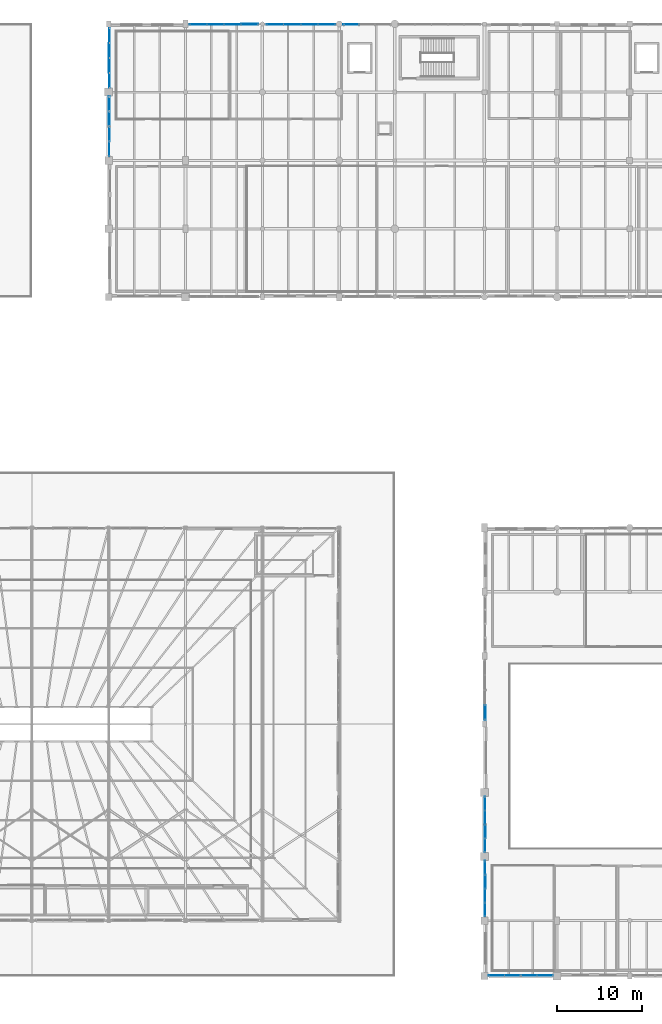
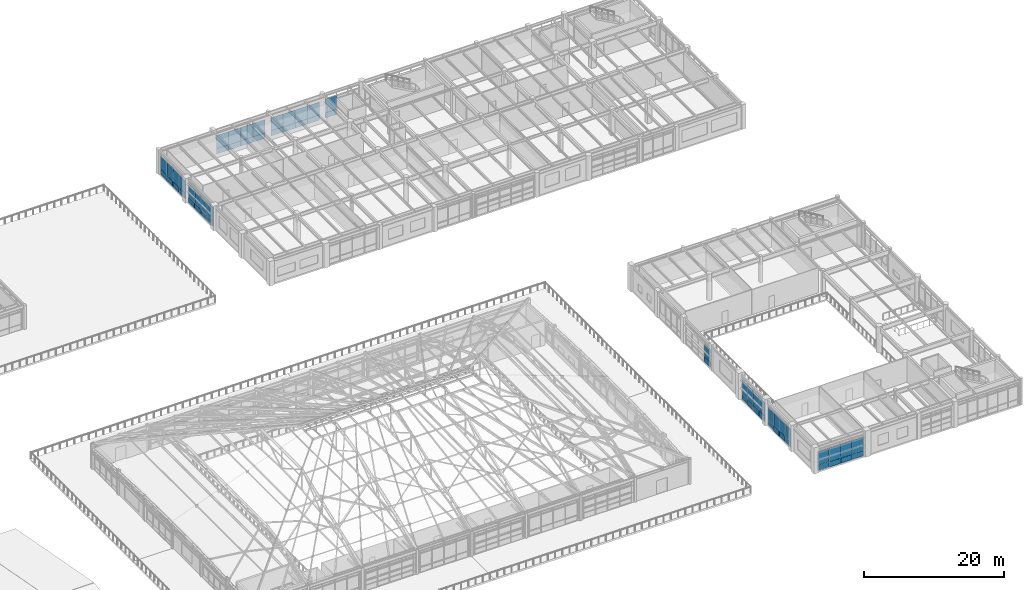
# One storey, part 136 of 168: 60 plates, 9 elements without a shape of their own.
"""IFC4 building model written with IfcOpenShell, lengths in metres."""

from ifc_helpers import new_model, si_unit, direction, frame, origin, origin_2d, place, context, subcontext, project, spatial, rectangle, extrude, material, layer, layer_set, type_object, element, aggregate, save


model = new_model("IFC4")

# Units and contexts
model_context = context("Model", 3, precision=1e-05, world=origin(), true_north=direction((0.0, 1.0)))
body_context = subcontext(model_context, "Body", "Model", "MODEL_VIEW")
ifc_project = project(units=[si_unit("LENGTHUNIT", "METRE"), si_unit("AREAUNIT", "SQUARE_METRE"), si_unit("VOLUMEUNIT", "CUBIC_METRE"), si_unit("PLANEANGLEUNIT", "RADIAN"), si_unit("MASSUNIT", "GRAM", prefix="KILO"), si_unit("THERMODYNAMICTEMPERATUREUNIT", "KELVIN"), si_unit("POWERUNIT", "WATT")], contexts=[model_context])

# Site, building, storey
site_placement = place(None, origin())
site = spatial("IfcSite", under=ifc_project, at=site_placement, CompositionType="ELEMENT")
building_placement = place(site_placement, origin())
building = spatial("IfcBuilding", under=site, at=building_placement, Name="Tepalcoro Natatorium and Aquatics Centre", CompositionType="ELEMENT")
storey_placement = place(building_placement, frame((0.0, 0.0, 10.199951171875)))
storey = spatial("IfcBuildingStorey", under=building, at=storey_placement, Name="L02", CompositionType="ELEMENT", Elevation=10.199951171875)

# Curtain wall, plate
ifc_material_1 = material(Name="Bronze-Anodised Extruded Aluminium Alloy EN AW-6063 T6", Category="aluminium")
curtain_wall_type_1 = type_object("IfcCurtainWallType", Name="CW_V2_DIVING", PredefinedType="USERDEFINED", material=ifc_material_1)
curtain_wall_1_placement = place(storey_placement, origin())
curtain_wall_1 = element("IfcCurtainWall", 1, at=curtain_wall_1_placement, inside=storey, type_object=curtain_wall_type_1, Name="V2 L02 S Unitised Curtain Wall Bay 1", ObjectType="FACETED SOLAR GLAZING", PredefinedType="USERDEFINED")
ifc_material_2 = material(Name="Solar-Control Bronze Tempered Low-E Double Glazing", Category="glass")
ifc_layer_1 = layer(ifc_material_2, 0.048095703125)
ifc_layer_set_1 = layer_set([ifc_layer_1], Name="Solar-Control Bronze Tempered Low-E Double Glazing")
plate_type_1 = type_object("IfcPlateType", Name="PL_ACOUSTIC_IGU_48", PredefinedType="CURTAIN_PANEL", material=ifc_layer_set_1)
plate_1_placement = place(storey_placement, frame((147.1923828125, 6.576171875, 0.9599609375), z_axis=(0.0, 0.0, 1.0), x_axis=(1.0, 0.0, 0.0)))
plate_1 = element("IfcPlate", 2, at=plate_1_placement, type_object=plate_type_1, Name="CW_V2_DIVING Insulated Glazing Unit", PredefinedType="CURTAIN_PANEL", context=body_context, shape_type="SweptSolid", body=[
    extrude(rectangle(XDim=1.864990234375, YDim=0.048095703125, at=origin_2d()), origin(), (0.0, 0.0, 1.0), 2.3701171875),
])

# Curtain wall, plates
curtain_wall_type_2 = type_object("IfcCurtainWallType", Name="CW_LEAN_T1_NS", PredefinedType="USERDEFINED", material=ifc_material_1)
curtain_wall_2_placement = place(storey_placement, origin())
curtain_wall_2 = element("IfcCurtainWall", 3, at=curtain_wall_2_placement, inside=storey, type_object=curtain_wall_type_2, Name="V2 L02 W Unitised Curtain Wall Bay 2", ObjectType="FACETED SOLAR GLAZING", PredefinedType="USERDEFINED")
plate_2_placement = place(storey_placement, frame((142.06494140625, 14.297607421875, 0.944580078125), z_axis=(0.0, 0.0, 1.0), x_axis=(1.0, 0.0, 0.0)))
plate_2 = element("IfcPlate", 4, at=plate_2_placement, type_object=plate_type_1, Name="CW_LEAN_T1_NS Insulated Glazing Unit", PredefinedType="CURTAIN_PANEL", context=body_context, shape_type="SweptSolid", body=[
    extrude(rectangle(XDim=0.048095703125, YDim=1.614990234375, at=origin_2d()), origin(), (0.0, 0.0, 1.0), 2.2333984375),
])
plate_3_placement = place(storey_placement, frame((142.06494140625, 19.202392578125, 0.944580078125), z_axis=(0.0, 0.0, 1.0), x_axis=(1.0, 0.0, 0.0)))
plate_3 = element("IfcPlate", 5, at=plate_3_placement, type_object=plate_type_1, Name="CW_LEAN_T1_NS Insulated Glazing Unit", PredefinedType="CURTAIN_PANEL", context=body_context, shape_type="SweptSolid", body=[
    extrude(rectangle(XDim=0.048095703125, YDim=1.614990234375, at=origin_2d()), origin(), (0.0, 0.0, 1.0), 2.2333984375),
])

# Curtain wall, plate
curtain_wall_type_3 = type_object("IfcCurtainWallType", Name="CW_LEAN_T1_EW", PredefinedType="USERDEFINED", material=ifc_material_1)
curtain_wall_3_placement = place(storey_placement, origin())
curtain_wall_3 = element("IfcCurtainWall", 6, at=curtain_wall_3_placement, inside=storey, type_object=curtain_wall_type_3, Name="V2 L02 W Unitised Curtain Wall Bay 3", ObjectType="FACETED SOLAR GLAZING", PredefinedType="USERDEFINED")
plate_4_placement = place(storey_placement, frame((142.0712890625, 25.0673828125, 0.9599609375), z_axis=(0.0, 0.0, 1.0), x_axis=(1.0, 0.0, 0.0)))
plate_4 = element("IfcPlate", 7, at=plate_4_placement, type_object=plate_type_1, Name="CW_LEAN_T1_EW Insulated Glazing Unit", PredefinedType="CURTAIN_PANEL", context=body_context, shape_type="SweptSolid", body=[
    extrude(rectangle(XDim=0.048095703125, YDim=1.614990234375, at=origin_2d()), origin(), (0.0, 0.0, 1.0), 2.4169921875),
])

curtain_wall_4_placement = place(storey_placement, origin())
curtain_wall_4 = element("IfcCurtainWall", 8, at=curtain_wall_4_placement, inside=storey, type_object=curtain_wall_type_3, Name="V5 L02 N Unitised Curtain Wall Bay 2", ObjectType="FACETED SOLAR GLAZING", PredefinedType="USERDEFINED")
plate_5_placement = place(storey_placement, frame((112.5048828125, 117.9287109375, 0.9599609375), z_axis=(0.0, 0.0, 1.0), x_axis=(1.0, 0.0, 0.0)))
plate_5 = element("IfcPlate", 9, at=plate_5_placement, type_object=plate_type_1, Name="CW_LEAN_T1_EW Insulated Glazing Unit", PredefinedType="CURTAIN_PANEL", context=body_context, shape_type="SweptSolid", body=[
    extrude(rectangle(XDim=1.989990234375, YDim=0.048095703125, at=origin_2d()), origin(), (0.0, 0.0, 1.0), 2.2939453125),
])

curtain_wall_type_4 = type_object("IfcCurtainWallType", Name="CW_LEAN_T2_NS", PredefinedType="USERDEFINED", material=ifc_material_1)
curtain_wall_5_placement = place(storey_placement, origin())
curtain_wall_5 = element("IfcCurtainWall", 10, at=curtain_wall_5_placement, inside=storey, type_object=curtain_wall_type_4, Name="V5 L02 N Unitised Curtain Wall Bay 3", ObjectType="FACETED SOLAR GLAZING", PredefinedType="USERDEFINED")
plate_6_placement = place(storey_placement, frame((119.4951171875, 117.923828125, 0.944580078125), z_axis=(0.0, 0.0, 1.0), x_axis=(1.0, 0.0, 0.0)))
plate_6 = element("IfcPlate", 11, at=plate_6_placement, type_object=plate_type_1, Name="CW_LEAN_T2_NS Insulated Glazing Unit", PredefinedType="CURTAIN_PANEL", context=body_context, shape_type="SweptSolid", body=[
    extrude(rectangle(XDim=1.989990234375, YDim=0.048095703125, at=origin_2d()), origin(), (0.0, 0.0, 1.0), 2.2333984375),
])

curtain_wall_type_5 = type_object("IfcCurtainWallType", Name="CW_LEAN_T2_EW", PredefinedType="USERDEFINED", material=ifc_material_1)
curtain_wall_6_placement = place(storey_placement, origin())
curtain_wall_6 = element("IfcCurtainWall", 12, at=curtain_wall_6_placement, inside=storey, type_object=curtain_wall_type_5, Name="V5 L02 N Unitised Curtain Wall Bay 4", ObjectType="FACETED SOLAR GLAZING", PredefinedType="USERDEFINED")
plate_7_placement = place(storey_placement, frame((126.4033203125, 117.919921875, 0.9599609375), z_axis=(0.0, 0.0, 1.0), x_axis=(1.0, 0.0, 0.0)))
plate_7 = element("IfcPlate", 13, at=plate_7_placement, type_object=plate_type_1, Name="CW_LEAN_T2_EW Insulated Glazing Unit", PredefinedType="CURTAIN_PANEL", context=body_context, shape_type="SweptSolid", body=[
    extrude(rectangle(XDim=1.82666015625, YDim=0.048095703125, at=origin_2d()), origin(), (0.0, 0.0, 1.0), 2.4169921875),
])

# Curtain wall, plates
curtain_wall_7_placement = place(storey_placement, origin())
curtain_wall_7 = element("IfcCurtainWall", 14, at=curtain_wall_7_placement, inside=storey, type_object=curtain_wall_type_3, Name="V5 L02 W Unitised Curtain Wall Bay 3", ObjectType="FACETED SOLAR GLAZING", PredefinedType="USERDEFINED")
plate_8_placement = place(storey_placement, frame((98.0712890625, 103.360107421875, 0.960205078125), z_axis=(0.0, 0.0, 1.0), x_axis=(1.0, 0.0, 0.0)))
plate_8 = element("IfcPlate", 15, at=plate_8_placement, type_object=plate_type_1, Name="CW_LEAN_T1_EW Insulated Glazing Unit", PredefinedType="CURTAIN_PANEL", context=body_context, shape_type="SweptSolid", body=[
    extrude(rectangle(XDim=0.048095703125, YDim=1.739990234375, at=origin_2d()), origin(), (0.0, 0.0, 1.0), 2.3369140625),
])
plate_9_placement = place(storey_placement, frame((98.0712890625, 108.639892578125, 0.960205078125), z_axis=(0.0, 0.0, 1.0), x_axis=(1.0, 0.0, 0.0)))
plate_9 = element("IfcPlate", 16, at=plate_9_placement, type_object=plate_type_1, Name="CW_LEAN_T1_EW Insulated Glazing Unit", PredefinedType="CURTAIN_PANEL", context=body_context, shape_type="SweptSolid", body=[
    extrude(rectangle(XDim=0.048095703125, YDim=1.739990234375, at=origin_2d()), origin(), (0.0, 0.0, 1.0), 2.3369140625),
])

# Curtain wall, plate
curtain_wall_8_placement = place(storey_placement, origin())
curtain_wall_8 = element("IfcCurtainWall", 17, at=curtain_wall_8_placement, inside=storey, type_object=curtain_wall_type_4, Name="V5 L02 W Unitised Curtain Wall Bay 4", ObjectType="FACETED SOLAR GLAZING", PredefinedType="USERDEFINED")
plate_10_placement = place(storey_placement, frame((98.076171875, 114.8798828125, 0.9599609375), z_axis=(0.0, 0.0, 1.0), x_axis=(1.0, 0.0, 0.0)))
plate_10 = element("IfcPlate", 18, at=plate_10_placement, type_object=plate_type_1, Name="CW_LEAN_T2_NS Insulated Glazing Unit", PredefinedType="CURTAIN_PANEL", context=body_context, shape_type="SweptSolid", body=[
    extrude(rectangle(XDim=0.048095703125, YDim=1.739990234375, at=origin_2d()), origin(), (0.0, 0.0, 1.0), 2.2900390625),
])

# Plate
ifc_layer_2 = layer(ifc_material_2, 0.028076171875)
ifc_layer_set_2 = layer_set([ifc_layer_2], Name="Solar-Control Bronze Tempered Low-E Double Glazing")
plate_type_2 = type_object("IfcPlateType", Name="PL_BRONZE_IGU_28", PredefinedType="CURTAIN_PANEL", material=ifc_layer_set_2)
plate_11_placement = place(storey_placement, frame((145.3076171875, 6.576171875, 0.9599609375), z_axis=(0.0, 0.0, 1.0), x_axis=(1.0, 0.0, 0.0)))
plate_11 = element("IfcPlate", 19, at=plate_11_placement, type_object=plate_type_2, Name="CW_V2_DIVING Insulated Glazing Unit", PredefinedType="CURTAIN_PANEL", context=body_context, shape_type="SweptSolid", body=[
    extrude(rectangle(XDim=1.864990234375, YDim=0.028076171875, at=origin_2d()), origin(), (0.0, 0.0, 1.0), 2.3701171875),
])

plate_12_placement = place(storey_placement, frame((142.06494140625, 17.5673828125, 0.944580078125), z_axis=(0.0, 0.0, 1.0), x_axis=(1.0, 0.0, 0.0)))
plate_12 = element("IfcPlate", 20, at=plate_12_placement, type_object=plate_type_2, Name="CW_LEAN_T1_NS Insulated Glazing Unit", PredefinedType="CURTAIN_PANEL", context=body_context, shape_type="SweptSolid", body=[
    extrude(rectangle(XDim=0.028076171875, YDim=1.614990234375, at=origin_2d()), origin(), (0.0, 0.0, 1.0), 2.2333984375),
])

plate_13_placement = place(storey_placement, frame((142.0712890625, 23.4326171875, 0.9599609375), z_axis=(0.0, 0.0, 1.0), x_axis=(1.0, 0.0, 0.0)))
plate_13 = element("IfcPlate", 21, at=plate_13_placement, type_object=plate_type_2, Name="CW_LEAN_T1_EW Insulated Glazing Unit", PredefinedType="CURTAIN_PANEL", context=body_context, shape_type="SweptSolid", body=[
    extrude(rectangle(XDim=0.028076171875, YDim=1.614990234375, at=origin_2d()), origin(), (0.0, 0.0, 1.0), 2.4169921875),
])

# Curtain wall, plate
curtain_wall_9_placement = place(storey_placement, origin())
curtain_wall_9 = element("IfcCurtainWall", 22, at=curtain_wall_9_placement, inside=storey, type_object=curtain_wall_type_5, Name="V2 L02 W Unitised Curtain Wall Bay 5", ObjectType="FACETED SOLAR GLAZING", PredefinedType="USERDEFINED")
plate_14_placement = place(storey_placement, frame((142.0712890625, 37.360107421875, 0.9599609375), z_axis=(0.0, 0.0, 1.0), x_axis=(1.0, 0.0, 0.0)))
plate_14 = element("IfcPlate", 23, at=plate_14_placement, type_object=plate_type_2, Name="CW_LEAN_T2_EW Insulated Glazing Unit", PredefinedType="CURTAIN_PANEL", context=body_context, shape_type="SweptSolid", body=[
    extrude(rectangle(XDim=0.028076171875, YDim=1.739990234375, at=origin_2d()), origin(), (0.0, 0.0, 1.0), 2.2939453125),
])

# Plate
plate_15_placement = place(storey_placement, frame((110.4951171875, 117.9287109375, 0.9599609375), z_axis=(0.0, 0.0, 1.0), x_axis=(1.0, 0.0, 0.0)))
plate_15 = element("IfcPlate", 24, at=plate_15_placement, type_object=plate_type_2, Name="CW_LEAN_T1_EW Insulated Glazing Unit", PredefinedType="CURTAIN_PANEL", context=body_context, shape_type="SweptSolid", body=[
    extrude(rectangle(XDim=1.989990234375, YDim=0.028076171875, at=origin_2d()), origin(), (0.0, 0.0, 1.0), 2.2939453125),
])

plate_16_placement = place(storey_placement, frame((117.485107421875, 117.923828125, 0.944580078125), z_axis=(0.0, 0.0, 1.0), x_axis=(1.0, 0.0, 0.0)))
plate_16 = element("IfcPlate", 25, at=plate_16_placement, type_object=plate_type_2, Name="CW_LEAN_T2_NS Insulated Glazing Unit", PredefinedType="CURTAIN_PANEL", context=body_context, shape_type="SweptSolid", body=[
    extrude(rectangle(XDim=1.989990234375, YDim=0.028076171875, at=origin_2d()), origin(), (0.0, 0.0, 1.0), 2.2333984375),
])

plate_17_placement = place(storey_placement, frame((123.514892578125, 117.923828125, 0.944580078125), z_axis=(0.0, 0.0, 1.0), x_axis=(1.0, 0.0, 0.0)))
plate_17 = element("IfcPlate", 26, at=plate_17_placement, type_object=plate_type_2, Name="CW_LEAN_T2_NS Insulated Glazing Unit", PredefinedType="CURTAIN_PANEL", context=body_context, shape_type="SweptSolid", body=[
    extrude(rectangle(XDim=1.989990234375, YDim=0.028076171875, at=origin_2d()), origin(), (0.0, 0.0, 1.0), 2.2333984375),
])

plate_18_placement = place(storey_placement, frame((98.0712890625, 106.8798828125, 0.960205078125), z_axis=(0.0, 0.0, 1.0), x_axis=(1.0, 0.0, 0.0)))
plate_18 = element("IfcPlate", 27, at=plate_18_placement, type_object=plate_type_2, Name="CW_LEAN_T1_EW Insulated Glazing Unit", PredefinedType="CURTAIN_PANEL", context=body_context, shape_type="SweptSolid", body=[
    extrude(rectangle(XDim=0.028076171875, YDim=1.739990234375, at=origin_2d()), origin(), (0.0, 0.0, 1.0), 2.3369140625),
])

plate_19_placement = place(storey_placement, frame((98.076171875, 113.1201171875, 0.9599609375), z_axis=(0.0, 0.0, 1.0), x_axis=(1.0, 0.0, 0.0)))
plate_19 = element("IfcPlate", 28, at=plate_19_placement, type_object=plate_type_2, Name="CW_LEAN_T2_NS Insulated Glazing Unit", PredefinedType="CURTAIN_PANEL", context=body_context, shape_type="SweptSolid", body=[
    extrude(rectangle(XDim=0.028076171875, YDim=1.739990234375, at=origin_2d()), origin(), (0.0, 0.0, 1.0), 2.2900390625),
])

ifc_material_3 = material(Name="Jalisco Cantera Rosa Volcanic Tuff Ashlar Masonry", Category="masonry")
ifc_layer_3 = layer(ifc_material_3, 0.090087890625)
ifc_layer_set_3 = layer_set([ifc_layer_3], Name="Jalisco Cantera Rosa Volcanic Tuff Ashlar Masonry")
plate_type_3 = type_object("IfcPlateType", Name="PL_CANTERA_90", PredefinedType="SHEET", material=ifc_layer_set_3)
plate_20_placement = place(storey_placement, frame((145.3076171875, 6.576171875, 0.044921875), z_axis=(0.0, 0.0, 1.0), x_axis=(1.0, 0.0, 0.0)))
plate_20 = element("IfcPlate", 29, at=plate_20_placement, type_object=plate_type_3, Name="CW_V2_DIVING Spandrel & Screen Panel", PredefinedType="SHEET", context=body_context, shape_type="SweptSolid", body=[
    extrude(rectangle(XDim=1.864990234375, YDim=0.090087890625, at=origin_2d()), origin(), (0.0, 0.0, 1.0), 0.909912109375),
])

plate_21_placement = place(storey_placement, frame((142.06494140625, 15.9326171875, 0.044921875), z_axis=(0.0, 0.0, 1.0), x_axis=(1.0, 0.0, 0.0)))
plate_21 = element("IfcPlate", 30, at=plate_21_placement, type_object=plate_type_3, Name="CW_LEAN_T1_NS Spandrel & Screen Panel", PredefinedType="SHEET", context=body_context, shape_type="SweptSolid", body=[
    extrude(rectangle(XDim=0.090087890625, YDim=1.614990234375, at=origin_2d()), origin(), (0.0, 0.0, 1.0), 0.89453125),
])

plate_22_placement = place(storey_placement, frame((142.0712890625, 21.797607421875, 0.044921875), z_axis=(0.0, 0.0, 1.0), x_axis=(1.0, 0.0, 0.0)))
plate_22 = element("IfcPlate", 31, at=plate_22_placement, type_object=plate_type_3, Name="CW_LEAN_T1_EW Spandrel & Screen Panel", PredefinedType="SHEET", context=body_context, shape_type="SweptSolid", body=[
    extrude(rectangle(XDim=0.090087890625, YDim=1.614990234375, at=origin_2d()), origin(), (0.0, 0.0, 1.0), 0.909912109375),
])

plate_23_placement = place(storey_placement, frame((112.5048828125, 117.9287109375, 0.044921875), z_axis=(0.0, 0.0, 1.0), x_axis=(1.0, 0.0, 0.0)))
plate_23 = element("IfcPlate", 32, at=plate_23_placement, type_object=plate_type_3, Name="CW_LEAN_T1_EW Spandrel & Screen Panel", PredefinedType="SHEET", context=body_context, shape_type="SweptSolid", body=[
    extrude(rectangle(XDim=1.989990234375, YDim=0.090087890625, at=origin_2d()), origin(), (0.0, 0.0, 1.0), 0.909912109375),
])

plate_24_placement = place(storey_placement, frame((119.4951171875, 117.923828125, 0.044921875), z_axis=(0.0, 0.0, 1.0), x_axis=(1.0, 0.0, 0.0)))
plate_24 = element("IfcPlate", 33, at=plate_24_placement, type_object=plate_type_3, Name="CW_LEAN_T2_NS Spandrel & Screen Panel", PredefinedType="SHEET", context=body_context, shape_type="SweptSolid", body=[
    extrude(rectangle(XDim=1.989990234375, YDim=0.090087890625, at=origin_2d()), origin(), (0.0, 0.0, 1.0), 0.89453125),
])

plate_25_placement = place(storey_placement, frame((126.4033203125, 117.919921875, 0.044921875), z_axis=(0.0, 0.0, 1.0), x_axis=(1.0, 0.0, 0.0)))
plate_25 = element("IfcPlate", 34, at=plate_25_placement, type_object=plate_type_3, Name="CW_LEAN_T2_EW Spandrel & Screen Panel", PredefinedType="SHEET", context=body_context, shape_type="SweptSolid", body=[
    extrude(rectangle(XDim=1.82666015625, YDim=0.090087890625, at=origin_2d()), origin(), (0.0, 0.0, 1.0), 0.909912109375),
])

aggregate(curtain_wall_6, [plate_7, plate_25])

plate_26_placement = place(storey_placement, frame((98.0712890625, 106.8798828125, 0.044921875), z_axis=(0.0, 0.0, 1.0), x_axis=(1.0, 0.0, 0.0)))
plate_26 = element("IfcPlate", 35, at=plate_26_placement, type_object=plate_type_3, Name="CW_LEAN_T1_EW Spandrel & Screen Panel", PredefinedType="SHEET", context=body_context, shape_type="SweptSolid", body=[
    extrude(rectangle(XDim=0.090087890625, YDim=1.739990234375, at=origin_2d()), origin(), (0.0, 0.0, 1.0), 0.909912109375),
])

plate_27_placement = place(storey_placement, frame((98.076171875, 113.1201171875, 0.044921875), z_axis=(0.0, 0.0, 1.0), x_axis=(1.0, 0.0, 0.0)))
plate_27 = element("IfcPlate", 36, at=plate_27_placement, type_object=plate_type_3, Name="CW_LEAN_T2_NS Spandrel & Screen Panel", PredefinedType="SHEET", context=body_context, shape_type="SweptSolid", body=[
    extrude(rectangle(XDim=0.090087890625, YDim=1.739990234375, at=origin_2d()), origin(), (0.0, 0.0, 1.0), 0.909912109375),
])

ifc_material_4 = material(Name="Clear Tempered Low-E Safety Glazing", Category="glass")
ifc_layer_4 = layer(ifc_material_4, 0.011962890625)
ifc_layer_set_4 = layer_set([ifc_layer_4], Name="Clear Tempered Low-E Safety Glazing")
plate_type_4 = type_object("IfcPlateType", Name="PL_GLASS_12", PredefinedType="CURTAIN_PANEL", material=ifc_layer_set_4)
plate_28_placement = place(storey_placement, frame((143.422607421875, 6.576171875, 0.9599609375), z_axis=(0.0, 0.0, 1.0), x_axis=(1.0, 0.0, 0.0)))
plate_28 = element("IfcPlate", 37, at=plate_28_placement, type_object=plate_type_4, Name="CW_V2_DIVING Insulated Glazing Unit", PredefinedType="CURTAIN_PANEL", context=body_context, shape_type="SweptSolid", body=[
    extrude(rectangle(XDim=1.864990234375, YDim=0.011962890625, at=origin_2d()), origin(), (0.0, 0.0, 1.0), 2.3701171875),
])

plate_29_placement = place(storey_placement, frame((149.077392578125, 6.576171875, 0.9599609375), z_axis=(0.0, 0.0, 1.0), x_axis=(1.0, 0.0, 0.0)))
plate_29 = element("IfcPlate", 38, at=plate_29_placement, type_object=plate_type_4, Name="CW_V2_DIVING Insulated Glazing Unit", PredefinedType="CURTAIN_PANEL", context=body_context, shape_type="SweptSolid", body=[
    extrude(rectangle(XDim=1.864990234375, YDim=0.011962890625, at=origin_2d()), origin(), (0.0, 0.0, 1.0), 2.3701171875),
])

plate_30_placement = place(storey_placement, frame((142.06494140625, 15.9326171875, 0.944580078125), z_axis=(0.0, 0.0, 1.0), x_axis=(1.0, 0.0, 0.0)))
plate_30 = element("IfcPlate", 39, at=plate_30_placement, type_object=plate_type_4, Name="CW_LEAN_T1_NS Insulated Glazing Unit", PredefinedType="CURTAIN_PANEL", context=body_context, shape_type="SweptSolid", body=[
    extrude(rectangle(XDim=0.011962890625, YDim=1.614990234375, at=origin_2d()), origin(), (0.0, 0.0, 1.0), 2.2333984375),
])

plate_31_placement = place(storey_placement, frame((142.0712890625, 21.797607421875, 0.9599609375), z_axis=(0.0, 0.0, 1.0), x_axis=(1.0, 0.0, 0.0)))
plate_31 = element("IfcPlate", 40, at=plate_31_placement, type_object=plate_type_4, Name="CW_LEAN_T1_EW Insulated Glazing Unit", PredefinedType="CURTAIN_PANEL", context=body_context, shape_type="SweptSolid", body=[
    extrude(rectangle(XDim=0.011962890625, YDim=1.614990234375, at=origin_2d()), origin(), (0.0, 0.0, 1.0), 2.4169921875),
])

plate_32_placement = place(storey_placement, frame((142.0712890625, 26.702392578125, 0.9599609375), z_axis=(0.0, 0.0, 1.0), x_axis=(1.0, 0.0, 0.0)))
plate_32 = element("IfcPlate", 41, at=plate_32_placement, type_object=plate_type_4, Name="CW_LEAN_T1_EW Insulated Glazing Unit", PredefinedType="CURTAIN_PANEL", context=body_context, shape_type="SweptSolid", body=[
    extrude(rectangle(XDim=0.011962890625, YDim=1.614990234375, at=origin_2d()), origin(), (0.0, 0.0, 1.0), 2.4169921875),
])

plate_33_placement = place(storey_placement, frame((108.485107421875, 117.9287109375, 0.9599609375), z_axis=(0.0, 0.0, 1.0), x_axis=(1.0, 0.0, 0.0)))
plate_33 = element("IfcPlate", 42, at=plate_33_placement, type_object=plate_type_4, Name="CW_LEAN_T1_EW Insulated Glazing Unit", PredefinedType="CURTAIN_PANEL", context=body_context, shape_type="SweptSolid", body=[
    extrude(rectangle(XDim=1.989990234375, YDim=0.011962890625, at=origin_2d()), origin(), (0.0, 0.0, 1.0), 2.2939453125),
])

plate_34_placement = place(storey_placement, frame((114.514892578125, 117.9287109375, 0.9599609375), z_axis=(0.0, 0.0, 1.0), x_axis=(1.0, 0.0, 0.0)))
plate_34 = element("IfcPlate", 43, at=plate_34_placement, type_object=plate_type_4, Name="CW_LEAN_T1_EW Insulated Glazing Unit", PredefinedType="CURTAIN_PANEL", context=body_context, shape_type="SweptSolid", body=[
    extrude(rectangle(XDim=1.989990234375, YDim=0.011962890625, at=origin_2d()), origin(), (0.0, 0.0, 1.0), 2.2939453125),
])

plate_35_placement = place(storey_placement, frame((121.5048828125, 117.923828125, 0.944580078125), z_axis=(0.0, 0.0, 1.0), x_axis=(1.0, 0.0, 0.0)))
plate_35 = element("IfcPlate", 44, at=plate_35_placement, type_object=plate_type_4, Name="CW_LEAN_T2_NS Insulated Glazing Unit", PredefinedType="CURTAIN_PANEL", context=body_context, shape_type="SweptSolid", body=[
    extrude(rectangle(XDim=1.989990234375, YDim=0.011962890625, at=origin_2d()), origin(), (0.0, 0.0, 1.0), 2.2333984375),
])

plate_36_placement = place(storey_placement, frame((98.0712890625, 105.1201171875, 0.960205078125), z_axis=(0.0, 0.0, 1.0), x_axis=(1.0, 0.0, 0.0)))
plate_36 = element("IfcPlate", 45, at=plate_36_placement, type_object=plate_type_4, Name="CW_LEAN_T1_EW Insulated Glazing Unit", PredefinedType="CURTAIN_PANEL", context=body_context, shape_type="SweptSolid", body=[
    extrude(rectangle(XDim=0.011962890625, YDim=1.739990234375, at=origin_2d()), origin(), (0.0, 0.0, 1.0), 2.3369140625),
])

plate_37_placement = place(storey_placement, frame((98.076171875, 111.360107421875, 0.9599609375), z_axis=(0.0, 0.0, 1.0), x_axis=(1.0, 0.0, 0.0)))
plate_37 = element("IfcPlate", 46, at=plate_37_placement, type_object=plate_type_4, Name="CW_LEAN_T2_NS Insulated Glazing Unit", PredefinedType="CURTAIN_PANEL", context=body_context, shape_type="SweptSolid", body=[
    extrude(rectangle(XDim=0.011962890625, YDim=1.739990234375, at=origin_2d()), origin(), (0.0, 0.0, 1.0), 2.2900390625),
])

plate_38_placement = place(storey_placement, frame((98.076171875, 116.639892578125, 0.9599609375), z_axis=(0.0, 0.0, 1.0), x_axis=(1.0, 0.0, 0.0)))
plate_38 = element("IfcPlate", 47, at=plate_38_placement, type_object=plate_type_4, Name="CW_LEAN_T2_NS Insulated Glazing Unit", PredefinedType="CURTAIN_PANEL", context=body_context, shape_type="SweptSolid", body=[
    extrude(rectangle(XDim=0.011962890625, YDim=1.739990234375, at=origin_2d()), origin(), (0.0, 0.0, 1.0), 2.2900390625),
])

ifc_material_5 = material(Name="Volcanic Recinto Basalt Ashlar Masonry", Category="masonry")
ifc_layer_5 = layer(ifc_material_5, 0.110107421875)
ifc_layer_set_5 = layer_set([ifc_layer_5], Name="Volcanic Recinto Basalt Ashlar Masonry")
plate_type_5 = type_object("IfcPlateType", Name="PL_RECINTO_110", PredefinedType="SHEET", material=ifc_layer_set_5)
plate_39_placement = place(storey_placement, frame((147.1923828125, 6.576171875, 0.044921875), z_axis=(0.0, 0.0, 1.0), x_axis=(1.0, 0.0, 0.0)))
plate_39 = element("IfcPlate", 48, at=plate_39_placement, type_object=plate_type_5, Name="CW_V2_DIVING Spandrel & Screen Panel", PredefinedType="SHEET", context=body_context, shape_type="SweptSolid", body=[
    extrude(rectangle(XDim=1.864990234375, YDim=0.110107421875, at=origin_2d()), origin(), (0.0, 0.0, 1.0), 0.909912109375),
])

plate_40_placement = place(storey_placement, frame((142.06494140625, 17.5673828125, 0.044921875), z_axis=(0.0, 0.0, 1.0), x_axis=(1.0, 0.0, 0.0)))
plate_40 = element("IfcPlate", 49, at=plate_40_placement, type_object=plate_type_5, Name="CW_LEAN_T1_NS Spandrel & Screen Panel", PredefinedType="SHEET", context=body_context, shape_type="SweptSolid", body=[
    extrude(rectangle(XDim=0.110107421875, YDim=1.614990234375, at=origin_2d()), origin(), (0.0, 0.0, 1.0), 0.89453125),
])

plate_41_placement = place(storey_placement, frame((142.0712890625, 23.4326171875, 0.044921875), z_axis=(0.0, 0.0, 1.0), x_axis=(1.0, 0.0, 0.0)))
plate_41 = element("IfcPlate", 50, at=plate_41_placement, type_object=plate_type_5, Name="CW_LEAN_T1_EW Spandrel & Screen Panel", PredefinedType="SHEET", context=body_context, shape_type="SweptSolid", body=[
    extrude(rectangle(XDim=0.110107421875, YDim=1.614990234375, at=origin_2d()), origin(), (0.0, 0.0, 1.0), 0.909912109375),
])

plate_42_placement = place(storey_placement, frame((142.0712890625, 37.360107421875, 0.044921875), z_axis=(0.0, 0.0, 1.0), x_axis=(1.0, 0.0, 0.0)))
plate_42 = element("IfcPlate", 51, at=plate_42_placement, type_object=plate_type_5, Name="CW_LEAN_T2_EW Spandrel & Screen Panel", PredefinedType="SHEET", context=body_context, shape_type="SweptSolid", body=[
    extrude(rectangle(XDim=0.110107421875, YDim=1.739990234375, at=origin_2d()), origin(), (0.0, 0.0, 1.0), 0.909912109375),
])

aggregate(curtain_wall_9, [plate_14, plate_42])

plate_43_placement = place(storey_placement, frame((114.514892578125, 117.9287109375, 0.044921875), z_axis=(0.0, 0.0, 1.0), x_axis=(1.0, 0.0, 0.0)))
plate_43 = element("IfcPlate", 52, at=plate_43_placement, type_object=plate_type_5, Name="CW_LEAN_T1_EW Spandrel & Screen Panel", PredefinedType="SHEET", context=body_context, shape_type="SweptSolid", body=[
    extrude(rectangle(XDim=1.989990234375, YDim=0.110107421875, at=origin_2d()), origin(), (0.0, 0.0, 1.0), 0.909912109375),
])

plate_44_placement = place(storey_placement, frame((121.5048828125, 117.923828125, 0.044921875), z_axis=(0.0, 0.0, 1.0), x_axis=(1.0, 0.0, 0.0)))
plate_44 = element("IfcPlate", 53, at=plate_44_placement, type_object=plate_type_5, Name="CW_LEAN_T2_NS Spandrel & Screen Panel", PredefinedType="SHEET", context=body_context, shape_type="SweptSolid", body=[
    extrude(rectangle(XDim=1.989990234375, YDim=0.110107421875, at=origin_2d()), origin(), (0.0, 0.0, 1.0), 0.89453125),
])

plate_45_placement = place(storey_placement, frame((98.0712890625, 108.639892578125, 0.044921875), z_axis=(0.0, 0.0, 1.0), x_axis=(1.0, 0.0, 0.0)))
plate_45 = element("IfcPlate", 54, at=plate_45_placement, type_object=plate_type_5, Name="CW_LEAN_T1_EW Spandrel & Screen Panel", PredefinedType="SHEET", context=body_context, shape_type="SweptSolid", body=[
    extrude(rectangle(XDim=0.110107421875, YDim=1.739990234375, at=origin_2d()), origin(), (0.0, 0.0, 1.0), 0.909912109375),
])

plate_46_placement = place(storey_placement, frame((98.076171875, 114.8798828125, 0.044921875), z_axis=(0.0, 0.0, 1.0), x_axis=(1.0, 0.0, 0.0)))
plate_46 = element("IfcPlate", 55, at=plate_46_placement, type_object=plate_type_5, Name="CW_LEAN_T2_NS Spandrel & Screen Panel", PredefinedType="SHEET", context=body_context, shape_type="SweptSolid", body=[
    extrude(rectangle(XDim=0.110107421875, YDim=1.739990234375, at=origin_2d()), origin(), (0.0, 0.0, 1.0), 0.909912109375),
])

ifc_layer_6 = layer(ifc_material_1, 0.050048828125)
ifc_layer_set_6 = layer_set([ifc_layer_6], Name="Bronze-Anodised Extruded Aluminium Alloy EN AW-6063 T6")
plate_type_6 = type_object("IfcPlateType", Name="PL_SCREEN_50", PredefinedType="SHEET", material=ifc_layer_set_6)
plate_47_placement = place(storey_placement, frame((142.0712890625, 26.702392578125, 0.044921875), z_axis=(0.0, 0.0, 1.0), x_axis=(1.0, 0.0, 0.0)))
plate_47 = element("IfcPlate", 56, at=plate_47_placement, type_object=plate_type_6, Name="CW_LEAN_T1_EW Spandrel & Screen Panel", PredefinedType="SHEET", context=body_context, shape_type="SweptSolid", body=[
    extrude(rectangle(XDim=0.050048828125, YDim=1.614990234375, at=origin_2d()), origin(), (0.0, 0.0, 1.0), 0.909912109375),
])

plate_48_placement = place(storey_placement, frame((108.485107421875, 117.9287109375, 0.044921875), z_axis=(0.0, 0.0, 1.0), x_axis=(1.0, 0.0, 0.0)))
plate_48 = element("IfcPlate", 57, at=plate_48_placement, type_object=plate_type_6, Name="CW_LEAN_T1_EW Spandrel & Screen Panel", PredefinedType="SHEET", context=body_context, shape_type="SweptSolid", body=[
    extrude(rectangle(XDim=1.989990234375, YDim=0.050048828125, at=origin_2d()), origin(), (0.0, 0.0, 1.0), 0.909912109375),
])

plate_49_placement = place(storey_placement, frame((98.0712890625, 103.360107421875, 0.044921875), z_axis=(0.0, 0.0, 1.0), x_axis=(1.0, 0.0, 0.0)))
plate_49 = element("IfcPlate", 58, at=plate_49_placement, type_object=plate_type_6, Name="CW_LEAN_T1_EW Spandrel & Screen Panel", PredefinedType="SHEET", context=body_context, shape_type="SweptSolid", body=[
    extrude(rectangle(XDim=0.050048828125, YDim=1.739990234375, at=origin_2d()), origin(), (0.0, 0.0, 1.0), 0.909912109375),
])

ifc_layer_7 = layer(ifc_material_1, 0.06005859375)
ifc_layer_set_7 = layer_set([ifc_layer_7], Name="Bronze-Anodised Extruded Aluminium Alloy EN AW-6063 T6")
plate_type_7 = type_object("IfcPlateType", Name="PL_SCREEN_60", PredefinedType="SHEET", material=ifc_layer_set_7)
plate_50_placement = place(storey_placement, frame((143.422607421875, 6.576171875, 0.044921875), z_axis=(0.0, 0.0, 1.0), x_axis=(1.0, 0.0, 0.0)))
plate_50 = element("IfcPlate", 59, at=plate_50_placement, type_object=plate_type_7, Name="CW_V2_DIVING Spandrel & Screen Panel", PredefinedType="SHEET", context=body_context, shape_type="SweptSolid", body=[
    extrude(rectangle(XDim=1.864990234375, YDim=0.06005859375, at=origin_2d()), origin(), (0.0, 0.0, 1.0), 0.909912109375),
])

plate_51_placement = place(storey_placement, frame((142.06494140625, 14.297607421875, 0.044921875), z_axis=(0.0, 0.0, 1.0), x_axis=(1.0, 0.0, 0.0)))
plate_51 = element("IfcPlate", 60, at=plate_51_placement, type_object=plate_type_7, Name="CW_LEAN_T1_NS Spandrel & Screen Panel", PredefinedType="SHEET", context=body_context, shape_type="SweptSolid", body=[
    extrude(rectangle(XDim=0.06005859375, YDim=1.614990234375, at=origin_2d()), origin(), (0.0, 0.0, 1.0), 0.89453125),
])

plate_52_placement = place(storey_placement, frame((110.4951171875, 117.9287109375, 0.044921875), z_axis=(0.0, 0.0, 1.0), x_axis=(1.0, 0.0, 0.0)))
plate_52 = element("IfcPlate", 61, at=plate_52_placement, type_object=plate_type_7, Name="CW_LEAN_T1_EW Spandrel & Screen Panel", PredefinedType="SHEET", context=body_context, shape_type="SweptSolid", body=[
    extrude(rectangle(XDim=1.989990234375, YDim=0.06005859375, at=origin_2d()), origin(), (0.0, 0.0, 1.0), 0.909912109375),
])

aggregate(curtain_wall_4, [plate_33, plate_48, plate_15, plate_52, plate_5, plate_23, plate_34, plate_43])

plate_53_placement = place(storey_placement, frame((117.485107421875, 117.923828125, 0.044921875), z_axis=(0.0, 0.0, 1.0), x_axis=(1.0, 0.0, 0.0)))
plate_53 = element("IfcPlate", 62, at=plate_53_placement, type_object=plate_type_7, Name="CW_LEAN_T2_NS Spandrel & Screen Panel", PredefinedType="SHEET", context=body_context, shape_type="SweptSolid", body=[
    extrude(rectangle(XDim=1.989990234375, YDim=0.06005859375, at=origin_2d()), origin(), (0.0, 0.0, 1.0), 0.89453125),
])

plate_54_placement = place(storey_placement, frame((98.0712890625, 105.1201171875, 0.044921875), z_axis=(0.0, 0.0, 1.0), x_axis=(1.0, 0.0, 0.0)))
plate_54 = element("IfcPlate", 63, at=plate_54_placement, type_object=plate_type_7, Name="CW_LEAN_T1_EW Spandrel & Screen Panel", PredefinedType="SHEET", context=body_context, shape_type="SweptSolid", body=[
    extrude(rectangle(XDim=0.06005859375, YDim=1.739990234375, at=origin_2d()), origin(), (0.0, 0.0, 1.0), 0.909912109375),
])

aggregate(curtain_wall_7, [plate_8, plate_49, plate_36, plate_54, plate_18, plate_26, plate_9, plate_45])

plate_55_placement = place(storey_placement, frame((98.076171875, 111.360107421875, 0.044921875), z_axis=(0.0, 0.0, 1.0), x_axis=(1.0, 0.0, 0.0)))
plate_55 = element("IfcPlate", 64, at=plate_55_placement, type_object=plate_type_7, Name="CW_LEAN_T2_NS Spandrel & Screen Panel", PredefinedType="SHEET", context=body_context, shape_type="SweptSolid", body=[
    extrude(rectangle(XDim=0.06005859375, YDim=1.739990234375, at=origin_2d()), origin(), (0.0, 0.0, 1.0), 0.909912109375),
])

ifc_material_6 = material(Name="Insulated Bronze Anodised Aluminium Spandrel Panel", Category="aluminium")
ifc_layer_8 = layer(ifc_material_6, 0.070068359375)
ifc_layer_set_8 = layer_set([ifc_layer_8], Name="Insulated Bronze Anodised Aluminium Spandrel Panel")
plate_type_8 = type_object("IfcPlateType", Name="PL_SPANDREL_70", PredefinedType="CURTAIN_PANEL", material=ifc_layer_set_8)
plate_56_placement = place(storey_placement, frame((149.077392578125, 6.576171875, 0.044921875), z_axis=(0.0, 0.0, 1.0), x_axis=(1.0, 0.0, 0.0)))
plate_56 = element("IfcPlate", 65, at=plate_56_placement, type_object=plate_type_8, Name="CW_V2_DIVING Spandrel & Screen Panel", PredefinedType="CURTAIN_PANEL", context=body_context, shape_type="SweptSolid", body=[
    extrude(rectangle(XDim=1.864990234375, YDim=0.070068359375, at=origin_2d()), origin(), (0.0, 0.0, 1.0), 0.909912109375),
])

aggregate(curtain_wall_1, [plate_28, plate_50, plate_11, plate_20, plate_1, plate_39, plate_29, plate_56])

plate_57_placement = place(storey_placement, frame((142.06494140625, 19.202392578125, 0.044921875), z_axis=(0.0, 0.0, 1.0), x_axis=(1.0, 0.0, 0.0)))
plate_57 = element("IfcPlate", 66, at=plate_57_placement, type_object=plate_type_8, Name="CW_LEAN_T1_NS Spandrel & Screen Panel", PredefinedType="CURTAIN_PANEL", context=body_context, shape_type="SweptSolid", body=[
    extrude(rectangle(XDim=0.070068359375, YDim=1.614990234375, at=origin_2d()), origin(), (0.0, 0.0, 1.0), 0.89453125),
])

aggregate(curtain_wall_2, [plate_2, plate_51, plate_30, plate_21, plate_12, plate_40, plate_3, plate_57])

plate_58_placement = place(storey_placement, frame((142.0712890625, 25.0673828125, 0.044921875), z_axis=(0.0, 0.0, 1.0), x_axis=(1.0, 0.0, 0.0)))
plate_58 = element("IfcPlate", 67, at=plate_58_placement, type_object=plate_type_8, Name="CW_LEAN_T1_EW Spandrel & Screen Panel", PredefinedType="CURTAIN_PANEL", context=body_context, shape_type="SweptSolid", body=[
    extrude(rectangle(XDim=0.070068359375, YDim=1.614990234375, at=origin_2d()), origin(), (0.0, 0.0, 1.0), 0.909912109375),
])

aggregate(curtain_wall_3, [plate_31, plate_22, plate_13, plate_41, plate_4, plate_58, plate_32, plate_47])

plate_59_placement = place(storey_placement, frame((123.514892578125, 117.923828125, 0.044921875), z_axis=(0.0, 0.0, 1.0), x_axis=(1.0, 0.0, 0.0)))
plate_59 = element("IfcPlate", 68, at=plate_59_placement, type_object=plate_type_8, Name="CW_LEAN_T2_NS Spandrel & Screen Panel", PredefinedType="CURTAIN_PANEL", context=body_context, shape_type="SweptSolid", body=[
    extrude(rectangle(XDim=1.989990234375, YDim=0.070068359375, at=origin_2d()), origin(), (0.0, 0.0, 1.0), 0.89453125),
])

aggregate(curtain_wall_5, [plate_16, plate_53, plate_6, plate_24, plate_35, plate_44, plate_17, plate_59])

plate_60_placement = place(storey_placement, frame((98.076171875, 116.639892578125, 0.044921875), z_axis=(0.0, 0.0, 1.0), x_axis=(1.0, 0.0, 0.0)))
plate_60 = element("IfcPlate", 69, at=plate_60_placement, type_object=plate_type_8, Name="CW_LEAN_T2_NS Spandrel & Screen Panel", PredefinedType="CURTAIN_PANEL", context=body_context, shape_type="SweptSolid", body=[
    extrude(rectangle(XDim=0.070068359375, YDim=1.739990234375, at=origin_2d()), origin(), (0.0, 0.0, 1.0), 0.909912109375),
])

aggregate(curtain_wall_8, [plate_37, plate_55, plate_19, plate_27, plate_10, plate_46, plate_38, plate_60])

save(model, "model.ifc")
